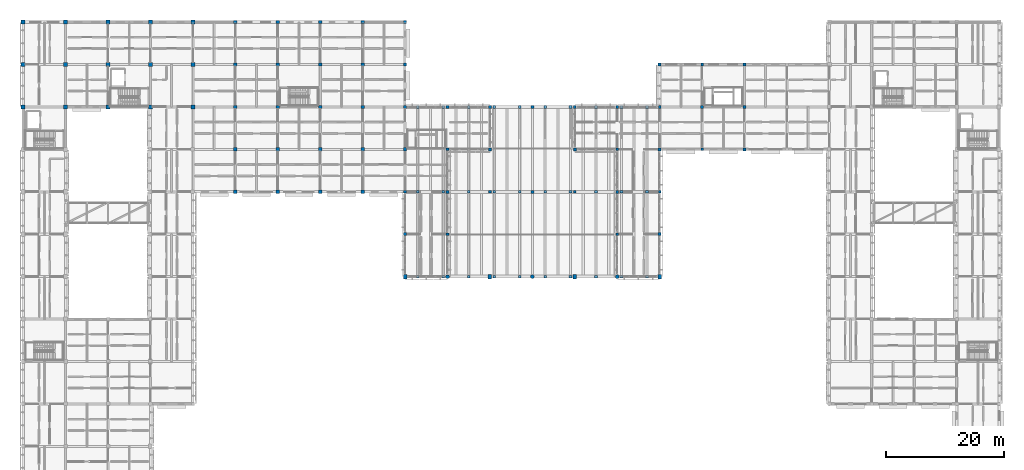
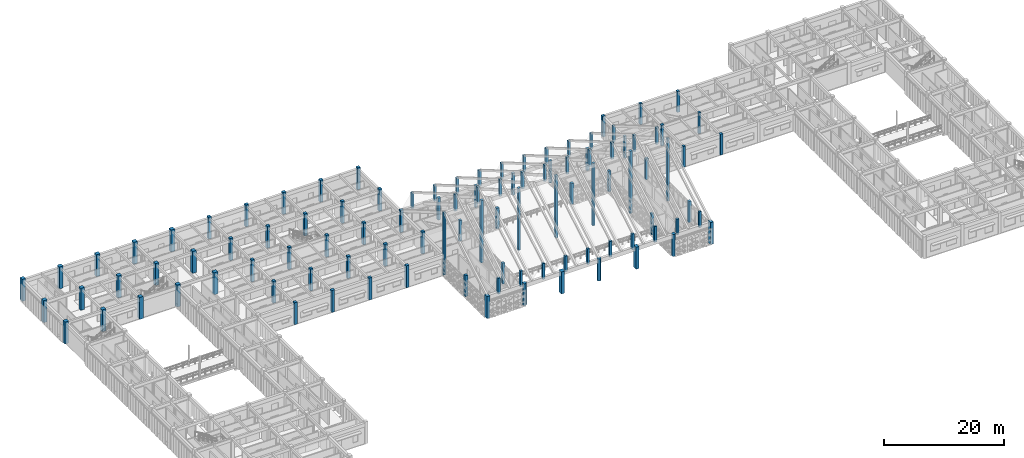
# One storey, part 3 of 171: 105 columns.
"""IFC4 building model written with IfcOpenShell, lengths in metres."""

from ifc_helpers import new_model, si_unit, direction, frame, origin, origin_2d, place, context, subcontext, project, spatial, rectangle, circle, extrude, material, material_profile, profile_set, type_object, element, save


model = new_model("IFC4")

# Units and contexts
model_context = context("Model", 3, precision=1e-05, world=origin(), true_north=direction((0.0, 1.0)))
body_context = subcontext(model_context, "Body", "Model", "MODEL_VIEW")
ifc_project = project(units=[si_unit("LENGTHUNIT", "METRE"), si_unit("AREAUNIT", "SQUARE_METRE"), si_unit("VOLUMEUNIT", "CUBIC_METRE"), si_unit("PLANEANGLEUNIT", "RADIAN"), si_unit("MASSUNIT", "GRAM", prefix="KILO")], contexts=[model_context])

# Site, building, storey
site_placement = place(None, origin())
site = spatial("IfcSite", under=ifc_project, at=site_placement, CompositionType="ELEMENT")
building_placement = place(site_placement, origin())
building = spatial("IfcBuilding", under=site, at=building_placement, Name="Aldebral Square Health Centre", CompositionType="ELEMENT")
storey_placement = place(building_placement, frame((0.0, 0.0, 4.5)))
storey = spatial("IfcBuildingStorey", under=building, at=storey_placement, Name="L01", CompositionType="ELEMENT", Elevation=4.5)

# Columns
ifc_material = material(Name="Concrete C40/50", Category="concrete")
ifc_material_profile_1 = material_profile(ifc_material, rectangle(XDim=0.699951171875, YDim=0.699951171875, at=origin_2d()), Name="RC 700x700")
ifc_profile_set_1 = profile_set([ifc_material_profile_1], Name="Concrete C40/50")
column_type_1 = type_object("IfcColumnType", Name="COL-C1", PredefinedType="COLUMN", material=ifc_profile_set_1)
for number, where, z_axis, x_axis, name in (
    (1, (0.0, 100.800048828125, 0.0), (0.0, 0.0, 1.0), (1.0, 0.0, 0.0), "L01 column 1/15"),
    (2, (0.0, 108.0, 0.0), (0.0, 0.0, 1.0), (1.0, 0.0, 0.0), "L01 column 1/16"),
    (3, (0.0, 115.199951171875, 0.0), (0.0, 0.0, 1.0), (1.0, 0.0, 0.0), "L01 column 1/17"),
    (4, (7.199951171875, 100.800048828125, 0.0), (0.0, 0.0, 1.0), (1.0, 0.0, 0.0), "L01 column 2/15"),
    (5, (7.199951171875, 108.0, 0.0), (0.0, 0.0, 1.0), (1.0, 0.0, 0.0), "L01 column 2/16"),
    (6, (7.199951171875, 115.199951171875, 0.0), (0.0, 0.0, 1.0), (1.0, 0.0, 0.0), "L01 column 2/17"),
    (7, (14.39990234375, 100.800048828125, 0.0), (0.0, 0.0, 1.0), (1.0, 0.0, 0.0), "L01 column 3/15"),
    (8, (14.39990234375, 108.0, 0.0), (0.0, 0.0, 1.0), (1.0, 0.0, 0.0), "L01 column 3/16"),
    (9, (14.39990234375, 115.199951171875, 0.0), (0.0, 0.0, 1.0), (1.0, 0.0, 0.0), "L01 column 3/17"),
    (10, (21.60009765625, 100.800048828125, 0.0), (0.0, 0.0, 1.0), (1.0, 0.0, 0.0), "L01 column 4/15"),
    (11, (21.60009765625, 108.0, 0.0), (0.0, 0.0, 1.0), (1.0, 0.0, 0.0), "L01 column 4/16"),
    (12, (21.60009765625, 115.199951171875, 0.0), (0.0, 0.0, 1.0), (1.0, 0.0, 0.0), "L01 column 4/17"),
    (13, (28.800048828125, 100.800048828125, 0.0), (0.0, 0.0, 1.0), (1.0, 0.0, 0.0), "L01 column 5/15"),
    (14, (28.800048828125, 108.0, 0.0), (0.0, 0.0, 1.0), (1.0, 0.0, 0.0), "L01 column 5/16"),
    (15, (28.800048828125, 115.199951171875, 0.0), (0.0, 0.0, 1.0), (1.0, 0.0, 0.0), "L01 column 5/17"),
):
    element("IfcColumn", number, at=place(storey_placement, frame(where, z_axis=z_axis, x_axis=x_axis)), inside=storey, type_object=column_type_1, Name=name, PredefinedType="COLUMN", context=body_context, shape_type="SweptSolid", body=[
        extrude(rectangle(XDim=0.699951171875, YDim=0.699951171875, at=origin_2d()), origin(), (0.0, 0.0, 1.0), 4.5),
    ])
ifc_material_profile_2 = material_profile(ifc_material, rectangle(XDim=0.550048828125, YDim=0.550048828125, at=origin_2d()), Name="RC 550x550")
ifc_profile_set_2 = profile_set([ifc_material_profile_2], Name="Concrete C40/50")
column_type_2 = type_object("IfcColumnType", Name="COL-C4", PredefinedType="COLUMN", material=ifc_profile_set_2)
for number, where, z_axis, x_axis, name in (
    (16, (36.0, 86.39990234375, 0.0), (0.0, 0.0, 1.0), (1.0, 0.0, 0.0), "L01 column 6/13"),
    (17, (36.0, 93.60009765625, 0.0), (0.0, 0.0, 1.0), (1.0, 0.0, 0.0), "L01 column 6/14"),
    (18, (36.0, 100.800048828125, 0.0), (0.0, 0.0, 1.0), (1.0, 0.0, 0.0), "L01 column 6/15"),
    (19, (36.0, 108.0, 0.0), (0.0, 0.0, 1.0), (1.0, 0.0, 0.0), "L01 column 6/16"),
    (20, (36.0, 115.199951171875, 0.0), (0.0, 0.0, 1.0), (1.0, 0.0, 0.0), "L01 column 6/17"),
    (21, (43.199951171875, 86.39990234375, 0.0), (0.0, 0.0, 1.0), (1.0, 0.0, 0.0), "L01 column 7/13"),
    (22, (43.199951171875, 93.60009765625, 0.0), (0.0, 0.0, 1.0), (1.0, 0.0, 0.0), "L01 column 7/14"),
    (23, (43.199951171875, 100.800048828125, 0.0), (0.0, 0.0, 1.0), (1.0, 0.0, 0.0), "L01 column 7/15"),
    (24, (43.199951171875, 108.0, 0.0), (0.0, 0.0, 1.0), (1.0, 0.0, 0.0), "L01 column 7/16"),
    (25, (43.199951171875, 115.199951171875, 0.0), (0.0, 0.0, 1.0), (1.0, 0.0, 0.0), "L01 column 7/17"),
    (26, (50.39990234375, 86.39990234375, 0.0), (0.0, 0.0, 1.0), (1.0, 0.0, 0.0), "L01 column 8/13"),
    (27, (50.39990234375, 93.60009765625, 0.0), (0.0, 0.0, 1.0), (1.0, 0.0, 0.0), "L01 column 8/14"),
    (28, (50.39990234375, 100.800048828125, 0.0), (0.0, 0.0, 1.0), (1.0, 0.0, 0.0), "L01 column 8/15"),
    (29, (50.39990234375, 108.0, 0.0), (0.0, 0.0, 1.0), (1.0, 0.0, 0.0), "L01 column 8/16"),
    (30, (50.39990234375, 115.199951171875, 0.0), (0.0, 0.0, 1.0), (1.0, 0.0, 0.0), "L01 column 8/17"),
    (31, (57.60009765625, 86.39990234375, 0.0), (0.0, 0.0, 1.0), (1.0, 0.0, 0.0), "L01 column 9/13"),
    (32, (57.60009765625, 93.60009765625, 0.0), (0.0, 0.0, 1.0), (1.0, 0.0, 0.0), "L01 column 9/14"),
    (33, (57.60009765625, 100.800048828125, 0.0), (0.0, 0.0, 1.0), (1.0, 0.0, 0.0), "L01 column 9/15"),
    (34, (57.60009765625, 108.0, 0.0), (0.0, 0.0, 1.0), (1.0, 0.0, 0.0), "L01 column 9/16"),
    (35, (57.60009765625, 115.199951171875, 0.0), (0.0, 0.0, 1.0), (1.0, 0.0, 0.0), "L01 column 9/17"),
    (36, (64.800048828125, 93.60009765625, 0.0), (0.0, 0.0, 1.0), (1.0, 0.0, 0.0), "L01 column 10/14"),
    (37, (64.800048828125, 100.800048828125, 0.0), (0.0, 0.0, 1.0), (1.0, 0.0, 0.0), "L01 column 10/15"),
    (38, (64.800048828125, 108.0, 0.0), (0.0, 0.0, 1.0), (1.0, 0.0, 0.0), "L01 column 10/16"),
    (39, (64.800048828125, 115.199951171875, 0.0), (0.0, 0.0, 1.0), (1.0, 0.0, 0.0), "L01 column 10/17"),
):
    element("IfcColumn", number, at=place(storey_placement, frame(where, z_axis=z_axis, x_axis=x_axis)), inside=storey, type_object=column_type_2, Name=name, PredefinedType="COLUMN", context=body_context, shape_type="SweptSolid", body=[
        extrude(rectangle(XDim=0.550048828125, YDim=0.550048828125, at=origin_2d()), origin(), (0.0, 0.0, 1.0), 4.5),
    ])
ifc_material_profile_3 = material_profile(ifc_material, rectangle(XDim=0.5, YDim=0.5, at=origin_2d()), Name="RC 500x500")
ifc_profile_set_3 = profile_set([ifc_material_profile_3], Name="Concrete C40/50")
column_type_3 = type_object("IfcColumnType", Name="COL-C5", PredefinedType="COLUMN", material=ifc_profile_set_3)
column_1_placement = place(storey_placement, frame((64.800048828125, 79.199951171875, 0.0), z_axis=(0.0, 0.0, 1.0), x_axis=(1.0, 0.0, 0.0)))
element("IfcColumn", 40, at=column_1_placement, inside=storey, type_object=column_type_3, Name="L01 column 10/12", PredefinedType="COLUMN", context=body_context, shape_type="SweptSolid", body=[
    extrude(rectangle(XDim=0.5, YDim=0.5, at=origin_2d()), origin(), (0.0, 0.0, 1.0), 4.280029296875),
])
column_2_placement = place(storey_placement, frame((72.0, 86.39990234375, 0.0), z_axis=(0.0, 0.0, 1.0), x_axis=(1.0, 0.0, 0.0)))
element("IfcColumn", 41, at=column_2_placement, inside=storey, type_object=column_type_3, Name="L01 column 11/13", PredefinedType="COLUMN", context=body_context, shape_type="SweptSolid", body=[
    extrude(rectangle(XDim=0.5, YDim=0.5, at=origin_2d()), origin(), (0.0, 0.0, 1.0), 12.719970703125),
])
column_3_placement = place(storey_placement, frame((72.0, 100.800048828125, 0.0), z_axis=(0.0, 0.0, 1.0), x_axis=(1.0, 0.0, 0.0)))
element("IfcColumn", 42, at=column_3_placement, inside=storey, type_object=column_type_3, Name="L01 column 11/15", PredefinedType="COLUMN", context=body_context, shape_type="SweptSolid", body=[
    extrude(rectangle(XDim=0.5, YDim=0.5, at=origin_2d()), origin(), (0.0, 0.0, 1.0), 4.5),
])
column_4_placement = place(storey_placement, frame((79.199951171875, 93.60009765625, 0.0), z_axis=(0.0, 0.0, 1.0), x_axis=(1.0, 0.0, 0.0)))
element("IfcColumn", 43, at=column_4_placement, inside=storey, type_object=column_type_3, Name="L01 column 12/14", PredefinedType="COLUMN", context=body_context, shape_type="SweptSolid", body=[
    extrude(rectangle(XDim=0.5, YDim=0.5, at=origin_2d()), origin(), (0.0, 0.0, 1.0), 4.280029296875),
])
column_5_placement = place(storey_placement, frame((86.39990234375, 86.39990234375, 0.0), z_axis=(0.0, 0.0, 1.0), x_axis=(1.0, 0.0, 0.0)))
element("IfcColumn", 44, at=column_5_placement, inside=storey, type_object=column_type_3, Name="L01 column 13/13", PredefinedType="COLUMN", context=body_context, shape_type="SweptSolid", body=[
    extrude(rectangle(XDim=0.5, YDim=0.5, at=origin_2d()), origin(), (0.0, 0.0, 1.0), 12.719970703125),
])
column_6_placement = place(storey_placement, frame((86.39990234375, 100.800048828125, 0.0), z_axis=(0.0, 0.0, 1.0), x_axis=(1.0, 0.0, 0.0)))
element("IfcColumn", 45, at=column_6_placement, inside=storey, type_object=column_type_3, Name="L01 column 13/15", PredefinedType="COLUMN", context=body_context, shape_type="SweptSolid", body=[
    extrude(rectangle(XDim=0.5, YDim=0.5, at=origin_2d()), origin(), (0.0, 0.0, 1.0), 4.5),
])
column_7_placement = place(storey_placement, frame((93.60009765625, 93.60009765625, 0.0), z_axis=(0.0, 0.0, 1.0), x_axis=(1.0, 0.0, 0.0)))
element("IfcColumn", 46, at=column_7_placement, inside=storey, type_object=column_type_3, Name="L01 column 14/14", PredefinedType="COLUMN", context=body_context, shape_type="SweptSolid", body=[
    extrude(rectangle(XDim=0.5, YDim=0.5, at=origin_2d()), origin(), (0.0, 0.0, 1.0), 4.280029296875),
])
column_8_placement = place(storey_placement, frame((100.800048828125, 86.39990234375, 0.0), z_axis=(0.0, 0.0, 1.0), x_axis=(1.0, 0.0, 0.0)))
element("IfcColumn", 47, at=column_8_placement, inside=storey, type_object=column_type_3, Name="L01 column 15/13", PredefinedType="COLUMN", context=body_context, shape_type="SweptSolid", body=[
    extrude(rectangle(XDim=0.5, YDim=0.5, at=origin_2d()), origin(), (0.0, 0.0, 1.0), 12.719970703125),
])
column_9_placement = place(storey_placement, frame((100.800048828125, 100.800048828125, 0.0), z_axis=(0.0, 0.0, 1.0), x_axis=(1.0, 0.0, 0.0)))
element("IfcColumn", 48, at=column_9_placement, inside=storey, type_object=column_type_3, Name="L01 column 15/15", PredefinedType="COLUMN", context=body_context, shape_type="SweptSolid", body=[
    extrude(rectangle(XDim=0.5, YDim=0.5, at=origin_2d()), origin(), (0.0, 0.0, 1.0), 4.5),
])
for number, where, z_axis, x_axis, name in (
    (49, (108.0, 79.199951171875, 0.0), (0.0, 0.0, 1.0), (1.0, 0.0, 0.0), "L01 column 16/12"),
    (50, (108.0, 93.60009765625, 0.0), (0.0, 0.0, 1.0), (1.0, 0.0, 0.0), "L01 column 16/14"),
    (51, (108.0, 108.0, 0.0), (0.0, 0.0, 1.0), (1.0, 0.0, 0.0), "L01 column 16/16"),
    (52, (115.199951171875, 100.800048828125, 0.0), (0.0, 0.0, 1.0), (1.0, 0.0, 0.0), "L01 column 17/15"),
    (53, (122.39990234375, 93.60009765625, 0.0), (0.0, 0.0, 1.0), (1.0, 0.0, 0.0), "L01 column 18/14"),
    (54, (122.39990234375, 108.0, 0.0), (0.0, 0.0, 1.0), (1.0, 0.0, 0.0), "L01 column 18/16"),
):
    element("IfcColumn", number, at=place(storey_placement, frame(where, z_axis=z_axis, x_axis=x_axis)), inside=storey, type_object=column_type_3, Name=name, PredefinedType="COLUMN", context=body_context, shape_type="SweptSolid", body=[
        extrude(rectangle(XDim=0.5, YDim=0.5, at=origin_2d()), origin(), (0.0, 0.0, 1.0), 4.280029296875),
    ])
ifc_material_profile_4 = material_profile(ifc_material, rectangle(XDim=0.449951171875, YDim=0.449951171875, at=origin_2d()), Name="RC 450x450")
ifc_profile_set_4 = profile_set([ifc_material_profile_4], Name="Concrete C40/50")
column_type_4 = type_object("IfcColumnType", Name="COL-C6", PredefinedType="COLUMN", material=ifc_profile_set_4)
column_10_placement = place(storey_placement, frame((64.800048828125, 86.39990234375, 0.0), z_axis=(0.0, 0.0, 1.0), x_axis=(1.0, 0.0, 0.0)))
element("IfcColumn", 55, at=column_10_placement, inside=storey, type_object=column_type_4, Name="L01 column 10/13", PredefinedType="COLUMN", context=body_context, shape_type="SweptSolid", body=[
    extrude(rectangle(XDim=0.449951171875, YDim=0.449951171875, at=origin_2d()), origin(), (0.0, 0.0, 1.0), 12.719970703125),
])
for number, where, z_axis, x_axis, name in (
    (56, (72.0, 79.199951171875, 0.0), (0.0, 0.0, 1.0), (1.0, 0.0, 0.0), "L01 column 11/12"),
    (57, (72.0, 93.60009765625, 0.0), (0.0, 0.0, 1.0), (1.0, 0.0, 0.0), "L01 column 11/14"),
):
    element("IfcColumn", number, at=place(storey_placement, frame(where, z_axis=z_axis, x_axis=x_axis)), inside=storey, type_object=column_type_4, Name=name, PredefinedType="COLUMN", context=body_context, shape_type="SweptSolid", body=[
        extrude(rectangle(XDim=0.449951171875, YDim=0.449951171875, at=origin_2d()), origin(), (0.0, 0.0, 1.0), 4.280029296875),
    ])
column_11_placement = place(storey_placement, frame((79.199951171875, 86.39990234375, 0.0), z_axis=(0.0, 0.0, 1.0), x_axis=(1.0, 0.0, 0.0)))
element("IfcColumn", 58, at=column_11_placement, inside=storey, type_object=column_type_4, Name="L01 column 12/13", PredefinedType="COLUMN", context=body_context, shape_type="SweptSolid", body=[
    extrude(rectangle(XDim=0.449951171875, YDim=0.449951171875, at=origin_2d()), origin(), (0.0, 0.0, 1.0), 12.719970703125),
])
column_12_placement = place(storey_placement, frame((79.199951171875, 100.800048828125, 0.0), z_axis=(0.0, 0.0, 1.0), x_axis=(1.0, 0.0, 0.0)))
element("IfcColumn", 59, at=column_12_placement, inside=storey, type_object=column_type_4, Name="L01 column 12/15", PredefinedType="COLUMN", context=body_context, shape_type="SweptSolid", body=[
    extrude(rectangle(XDim=0.449951171875, YDim=0.449951171875, at=origin_2d()), origin(), (0.0, 0.0, 1.0), 4.5),
])
column_13_placement = place(storey_placement, frame((93.60009765625, 86.39990234375, 0.0), z_axis=(0.0, 0.0, 1.0), x_axis=(1.0, 0.0, 0.0)))
element("IfcColumn", 60, at=column_13_placement, inside=storey, type_object=column_type_4, Name="L01 column 14/13", PredefinedType="COLUMN", context=body_context, shape_type="SweptSolid", body=[
    extrude(rectangle(XDim=0.449951171875, YDim=0.449951171875, at=origin_2d()), origin(), (0.0, 0.0, 1.0), 12.719970703125),
])
column_14_placement = place(storey_placement, frame((93.60009765625, 100.800048828125, 0.0), z_axis=(0.0, 0.0, 1.0), x_axis=(1.0, 0.0, 0.0)))
element("IfcColumn", 61, at=column_14_placement, inside=storey, type_object=column_type_4, Name="L01 column 14/15", PredefinedType="COLUMN", context=body_context, shape_type="SweptSolid", body=[
    extrude(rectangle(XDim=0.449951171875, YDim=0.449951171875, at=origin_2d()), origin(), (0.0, 0.0, 1.0), 4.5),
])
for number, where, z_axis, x_axis, name in (
    (62, (100.800048828125, 79.199951171875, 0.0), (0.0, 0.0, 1.0), (1.0, 0.0, 0.0), "L01 column 15/12"),
    (63, (100.800048828125, 93.60009765625, 0.0), (0.0, 0.0, 1.0), (1.0, 0.0, 0.0), "L01 column 15/14"),
):
    element("IfcColumn", number, at=place(storey_placement, frame(where, z_axis=z_axis, x_axis=x_axis)), inside=storey, type_object=column_type_4, Name=name, PredefinedType="COLUMN", context=body_context, shape_type="SweptSolid", body=[
        extrude(rectangle(XDim=0.449951171875, YDim=0.449951171875, at=origin_2d()), origin(), (0.0, 0.0, 1.0), 4.280029296875),
    ])
column_15_placement = place(storey_placement, frame((108.0, 86.39990234375, 0.0), z_axis=(0.0, 0.0, 1.0), x_axis=(1.0, 0.0, 0.0)))
element("IfcColumn", 64, at=column_15_placement, inside=storey, type_object=column_type_4, Name="L01 column 16/13", PredefinedType="COLUMN", context=body_context, shape_type="SweptSolid", body=[
    extrude(rectangle(XDim=0.449951171875, YDim=0.449951171875, at=origin_2d()), origin(), (0.0, 0.0, 1.0), 12.719970703125),
])
column_16_placement = place(storey_placement, frame((108.0, 100.800048828125, 0.0), z_axis=(0.0, 0.0, 1.0), x_axis=(1.0, 0.0, 0.0)))
element("IfcColumn", 65, at=column_16_placement, inside=storey, type_object=column_type_4, Name="L01 column 16/15", PredefinedType="COLUMN", context=body_context, shape_type="SweptSolid", body=[
    extrude(rectangle(XDim=0.449951171875, YDim=0.449951171875, at=origin_2d()), origin(), (0.0, 0.0, 1.0), 4.5),
])
for number, where, z_axis, x_axis, name in (
    (66, (115.199951171875, 93.60009765625, 0.0), (0.0, 0.0, 1.0), (1.0, 0.0, 0.0), "L01 column 17/14"),
    (67, (115.199951171875, 108.0, 0.0), (0.0, 0.0, 1.0), (1.0, 0.0, 0.0), "L01 column 17/16"),
    (68, (122.39990234375, 100.800048828125, 0.0), (0.0, 0.0, 1.0), (1.0, 0.0, 0.0), "L01 column 18/15"),
):
    element("IfcColumn", number, at=place(storey_placement, frame(where, z_axis=z_axis, x_axis=x_axis)), inside=storey, type_object=column_type_4, Name=name, PredefinedType="COLUMN", context=body_context, shape_type="SweptSolid", body=[
        extrude(rectangle(XDim=0.449951171875, YDim=0.449951171875, at=origin_2d()), origin(), (0.0, 0.0, 1.0), 4.280029296875),
    ])
column_17_placement = place(storey_placement, frame((66.9599609375, 72.0, 4.074951171875), z_axis=(0.0, 0.0, 1.0), x_axis=(1.0, 0.0, 0.0)))
element("IfcColumn", 69, at=column_17_placement, inside=storey, type_object=column_type_4, Name="Folded-plate ridge post S 1", PredefinedType="COLUMN", context=body_context, shape_type="SweptSolid", body=[
    extrude(rectangle(XDim=0.449951171875, YDim=0.449951171875, at=origin_2d()), origin(), (0.0, 0.0, 1.0), 3.22509765625),
])
column_18_placement = place(storey_placement, frame((66.9599609375, 86.39990234375, 12.294921875), z_axis=(0.0, 0.0, 1.0), x_axis=(1.0, 0.0, 0.0)))
element("IfcColumn", 70, at=column_18_placement, inside=storey, type_object=column_type_4, Name="Folded-plate ridge post M 1", PredefinedType="COLUMN", context=body_context, shape_type="SweptSolid", body=[
    extrude(rectangle(XDim=0.449951171875, YDim=0.449951171875, at=origin_2d()), origin(), (0.0, 0.0, 1.0), 3.405029296875),
])
for number, where, z_axis, x_axis, name in (
    (71, (66.9599609375, 100.800048828125, 4.074951171875), (0.0, 0.0, 1.0), (1.0, 0.0, 0.0), "Folded-plate ridge post N 1"),
    (72, (71.280029296875, 72.0, 4.074951171875), (0.0, 0.0, 1.0), (1.0, 0.0, 0.0), "Folded-plate ridge post S 2"),
):
    element("IfcColumn", number, at=place(storey_placement, frame(where, z_axis=z_axis, x_axis=x_axis)), inside=storey, type_object=column_type_4, Name=name, PredefinedType="COLUMN", context=body_context, shape_type="SweptSolid", body=[
        extrude(rectangle(XDim=0.449951171875, YDim=0.449951171875, at=origin_2d()), origin(), (0.0, 0.0, 1.0), 3.22509765625),
    ])
column_19_placement = place(storey_placement, frame((71.280029296875, 86.39990234375, 12.294921875), z_axis=(0.0, 0.0, 1.0), x_axis=(1.0, 0.0, 0.0)))
element("IfcColumn", 73, at=column_19_placement, inside=storey, type_object=column_type_4, Name="Folded-plate ridge post M 2", PredefinedType="COLUMN", context=body_context, shape_type="SweptSolid", body=[
    extrude(rectangle(XDim=0.449951171875, YDim=0.449951171875, at=origin_2d()), origin(), (0.0, 0.0, 1.0), 3.405029296875),
])
for number, where, z_axis, x_axis, name in (
    (74, (71.280029296875, 100.800048828125, 4.074951171875), (0.0, 0.0, 1.0), (1.0, 0.0, 0.0), "Folded-plate ridge post N 2"),
    (75, (75.60009765625, 72.0, 4.074951171875), (0.0, 0.0, 1.0), (1.0, 0.0, 0.0), "Folded-plate ridge post S 3"),
):
    element("IfcColumn", number, at=place(storey_placement, frame(where, z_axis=z_axis, x_axis=x_axis)), inside=storey, type_object=column_type_4, Name=name, PredefinedType="COLUMN", context=body_context, shape_type="SweptSolid", body=[
        extrude(rectangle(XDim=0.449951171875, YDim=0.449951171875, at=origin_2d()), origin(), (0.0, 0.0, 1.0), 3.22509765625),
    ])
column_20_placement = place(storey_placement, frame((75.60009765625, 86.39990234375, 12.294921875), z_axis=(0.0, 0.0, 1.0), x_axis=(1.0, 0.0, 0.0)))
element("IfcColumn", 76, at=column_20_placement, inside=storey, type_object=column_type_4, Name="Folded-plate ridge post M 3", PredefinedType="COLUMN", context=body_context, shape_type="SweptSolid", body=[
    extrude(rectangle(XDim=0.449951171875, YDim=0.449951171875, at=origin_2d()), origin(), (0.0, 0.0, 1.0), 3.405029296875),
])
for number, where, z_axis, x_axis, name in (
    (77, (75.60009765625, 100.800048828125, 4.074951171875), (0.0, 0.0, 1.0), (1.0, 0.0, 0.0), "Folded-plate ridge post N 3"),
    (78, (79.919921875, 72.0, 4.074951171875), (0.0, 0.0, 1.0), (1.0, 0.0, 0.0), "Folded-plate ridge post S 4"),
):
    element("IfcColumn", number, at=place(storey_placement, frame(where, z_axis=z_axis, x_axis=x_axis)), inside=storey, type_object=column_type_4, Name=name, PredefinedType="COLUMN", context=body_context, shape_type="SweptSolid", body=[
        extrude(rectangle(XDim=0.449951171875, YDim=0.449951171875, at=origin_2d()), origin(), (0.0, 0.0, 1.0), 3.22509765625),
    ])
column_21_placement = place(storey_placement, frame((79.919921875, 86.39990234375, 12.294921875), z_axis=(0.0, 0.0, 1.0), x_axis=(1.0, 0.0, 0.0)))
element("IfcColumn", 79, at=column_21_placement, inside=storey, type_object=column_type_4, Name="Folded-plate ridge post M 4", PredefinedType="COLUMN", context=body_context, shape_type="SweptSolid", body=[
    extrude(rectangle(XDim=0.449951171875, YDim=0.449951171875, at=origin_2d()), origin(), (0.0, 0.0, 1.0), 3.405029296875),
])
for number, where, z_axis, x_axis, name in (
    (80, (79.919921875, 100.800048828125, 4.074951171875), (0.0, 0.0, 1.0), (1.0, 0.0, 0.0), "Folded-plate ridge post N 4"),
    (81, (84.239990234375, 72.0, 4.074951171875), (0.0, 0.0, 1.0), (1.0, 0.0, 0.0), "Folded-plate ridge post S 5"),
):
    element("IfcColumn", number, at=place(storey_placement, frame(where, z_axis=z_axis, x_axis=x_axis)), inside=storey, type_object=column_type_4, Name=name, PredefinedType="COLUMN", context=body_context, shape_type="SweptSolid", body=[
        extrude(rectangle(XDim=0.449951171875, YDim=0.449951171875, at=origin_2d()), origin(), (0.0, 0.0, 1.0), 3.22509765625),
    ])
column_22_placement = place(storey_placement, frame((84.239990234375, 86.39990234375, 12.294921875), z_axis=(0.0, 0.0, 1.0), x_axis=(1.0, 0.0, 0.0)))
element("IfcColumn", 82, at=column_22_placement, inside=storey, type_object=column_type_4, Name="Folded-plate ridge post M 5", PredefinedType="COLUMN", context=body_context, shape_type="SweptSolid", body=[
    extrude(rectangle(XDim=0.449951171875, YDim=0.449951171875, at=origin_2d()), origin(), (0.0, 0.0, 1.0), 3.405029296875),
])
for number, where, z_axis, x_axis, name in (
    (83, (84.239990234375, 100.800048828125, 4.074951171875), (0.0, 0.0, 1.0), (1.0, 0.0, 0.0), "Folded-plate ridge post N 5"),
    (84, (88.56005859375, 72.0, 4.074951171875), (0.0, 0.0, 1.0), (1.0, 0.0, 0.0), "Folded-plate ridge post S 6"),
):
    element("IfcColumn", number, at=place(storey_placement, frame(where, z_axis=z_axis, x_axis=x_axis)), inside=storey, type_object=column_type_4, Name=name, PredefinedType="COLUMN", context=body_context, shape_type="SweptSolid", body=[
        extrude(rectangle(XDim=0.449951171875, YDim=0.449951171875, at=origin_2d()), origin(), (0.0, 0.0, 1.0), 3.22509765625),
    ])
column_23_placement = place(storey_placement, frame((88.56005859375, 86.39990234375, 12.294921875), z_axis=(0.0, 0.0, 1.0), x_axis=(1.0, 0.0, 0.0)))
element("IfcColumn", 85, at=column_23_placement, inside=storey, type_object=column_type_4, Name="Folded-plate ridge post M 6", PredefinedType="COLUMN", context=body_context, shape_type="SweptSolid", body=[
    extrude(rectangle(XDim=0.449951171875, YDim=0.449951171875, at=origin_2d()), origin(), (0.0, 0.0, 1.0), 3.405029296875),
])
for number, where, z_axis, x_axis, name in (
    (86, (88.56005859375, 100.800048828125, 4.074951171875), (0.0, 0.0, 1.0), (1.0, 0.0, 0.0), "Folded-plate ridge post N 6"),
    (87, (92.8798828125, 72.0, 4.074951171875), (0.0, 0.0, 1.0), (1.0, 0.0, 0.0), "Folded-plate ridge post S 7"),
):
    element("IfcColumn", number, at=place(storey_placement, frame(where, z_axis=z_axis, x_axis=x_axis)), inside=storey, type_object=column_type_4, Name=name, PredefinedType="COLUMN", context=body_context, shape_type="SweptSolid", body=[
        extrude(rectangle(XDim=0.449951171875, YDim=0.449951171875, at=origin_2d()), origin(), (0.0, 0.0, 1.0), 3.22509765625),
    ])
column_24_placement = place(storey_placement, frame((92.8798828125, 86.39990234375, 12.294921875), z_axis=(0.0, 0.0, 1.0), x_axis=(1.0, 0.0, 0.0)))
element("IfcColumn", 88, at=column_24_placement, inside=storey, type_object=column_type_4, Name="Folded-plate ridge post M 7", PredefinedType="COLUMN", context=body_context, shape_type="SweptSolid", body=[
    extrude(rectangle(XDim=0.449951171875, YDim=0.449951171875, at=origin_2d()), origin(), (0.0, 0.0, 1.0), 3.405029296875),
])
for number, where, z_axis, x_axis, name in (
    (89, (92.8798828125, 100.800048828125, 4.074951171875), (0.0, 0.0, 1.0), (1.0, 0.0, 0.0), "Folded-plate ridge post N 7"),
    (90, (97.199951171875, 72.0, 4.074951171875), (0.0, 0.0, 1.0), (1.0, 0.0, 0.0), "Folded-plate ridge post S 8"),
):
    element("IfcColumn", number, at=place(storey_placement, frame(where, z_axis=z_axis, x_axis=x_axis)), inside=storey, type_object=column_type_4, Name=name, PredefinedType="COLUMN", context=body_context, shape_type="SweptSolid", body=[
        extrude(rectangle(XDim=0.449951171875, YDim=0.449951171875, at=origin_2d()), origin(), (0.0, 0.0, 1.0), 3.22509765625),
    ])
column_25_placement = place(storey_placement, frame((97.199951171875, 86.39990234375, 12.294921875), z_axis=(0.0, 0.0, 1.0), x_axis=(1.0, 0.0, 0.0)))
element("IfcColumn", 91, at=column_25_placement, inside=storey, type_object=column_type_4, Name="Folded-plate ridge post M 8", PredefinedType="COLUMN", context=body_context, shape_type="SweptSolid", body=[
    extrude(rectangle(XDim=0.449951171875, YDim=0.449951171875, at=origin_2d()), origin(), (0.0, 0.0, 1.0), 3.405029296875),
])
for number, where, z_axis, x_axis, name in (
    (92, (97.199951171875, 100.800048828125, 4.074951171875), (0.0, 0.0, 1.0), (1.0, 0.0, 0.0), "Folded-plate ridge post N 8"),
    (93, (101.52001953125, 72.0, 4.074951171875), (0.0, 0.0, 1.0), (1.0, 0.0, 0.0), "Folded-plate ridge post S 9"),
):
    element("IfcColumn", number, at=place(storey_placement, frame(where, z_axis=z_axis, x_axis=x_axis)), inside=storey, type_object=column_type_4, Name=name, PredefinedType="COLUMN", context=body_context, shape_type="SweptSolid", body=[
        extrude(rectangle(XDim=0.449951171875, YDim=0.449951171875, at=origin_2d()), origin(), (0.0, 0.0, 1.0), 3.22509765625),
    ])
column_26_placement = place(storey_placement, frame((101.52001953125, 86.39990234375, 12.294921875), z_axis=(0.0, 0.0, 1.0), x_axis=(1.0, 0.0, 0.0)))
element("IfcColumn", 94, at=column_26_placement, inside=storey, type_object=column_type_4, Name="Folded-plate ridge post M 9", PredefinedType="COLUMN", context=body_context, shape_type="SweptSolid", body=[
    extrude(rectangle(XDim=0.449951171875, YDim=0.449951171875, at=origin_2d()), origin(), (0.0, 0.0, 1.0), 3.405029296875),
])
for number, where, z_axis, x_axis, name in (
    (95, (101.52001953125, 100.800048828125, 4.074951171875), (0.0, 0.0, 1.0), (1.0, 0.0, 0.0), "Folded-plate ridge post N 9"),
    (96, (105.840087890625, 72.0, 4.074951171875), (0.0, 0.0, 1.0), (1.0, 0.0, 0.0), "Folded-plate ridge post S 10"),
):
    element("IfcColumn", number, at=place(storey_placement, frame(where, z_axis=z_axis, x_axis=x_axis)), inside=storey, type_object=column_type_4, Name=name, PredefinedType="COLUMN", context=body_context, shape_type="SweptSolid", body=[
        extrude(rectangle(XDim=0.449951171875, YDim=0.449951171875, at=origin_2d()), origin(), (0.0, 0.0, 1.0), 3.22509765625),
    ])
column_27_placement = place(storey_placement, frame((105.840087890625, 86.39990234375, 12.294921875), z_axis=(0.0, 0.0, 1.0), x_axis=(1.0, 0.0, 0.0)))
element("IfcColumn", 97, at=column_27_placement, inside=storey, type_object=column_type_4, Name="Folded-plate ridge post M 10", PredefinedType="COLUMN", context=body_context, shape_type="SweptSolid", body=[
    extrude(rectangle(XDim=0.449951171875, YDim=0.449951171875, at=origin_2d()), origin(), (0.0, 0.0, 1.0), 3.405029296875),
])
column_28_placement = place(storey_placement, frame((105.840087890625, 100.800048828125, 4.074951171875), z_axis=(0.0, 0.0, 1.0), x_axis=(1.0, 0.0, 0.0)))
element("IfcColumn", 98, at=column_28_placement, inside=storey, type_object=column_type_4, Name="Folded-plate ridge post N 10", PredefinedType="COLUMN", context=body_context, shape_type="SweptSolid", body=[
    extrude(rectangle(XDim=0.449951171875, YDim=0.449951171875, at=origin_2d()), origin(), (0.0, 0.0, 1.0), 3.22509765625),
])
ifc_material_profile_5 = material_profile(ifc_material, rectangle(XDim=0.60009765625, YDim=0.800048828125, at=origin_2d()), Name="RC 600x800")
ifc_profile_set_5 = profile_set([ifc_material_profile_5], Name="Concrete C40/50")
column_type_5 = type_object("IfcColumnType", Name="COL-C7", PredefinedType="PILASTER", material=ifc_profile_set_5)
for number, where, z_axis, x_axis, name in (
    (99, (64.800048828125, 72.0, 0.0), (0.0, 0.0, 1.0), (1.0, 0.0, 0.0), "L01 column 10/11"),
    (100, (79.199951171875, 72.0, 0.0), (0.0, 0.0, 1.0), (1.0, 0.0, 0.0), "L01 column 12/11"),
    (101, (93.60009765625, 72.0, 0.0), (0.0, 0.0, 1.0), (1.0, 0.0, 0.0), "L01 column 14/11"),
    (102, (108.0, 72.0, 0.0), (0.0, 0.0, 1.0), (1.0, 0.0, 0.0), "L01 column 16/11"),
):
    element("IfcColumn", number, at=place(storey_placement, frame(where, z_axis=z_axis, x_axis=x_axis)), inside=storey, type_object=column_type_5, Name=name, PredefinedType="PILASTER", context=body_context, shape_type="SweptSolid", body=[
        extrude(rectangle(XDim=0.60009765625, YDim=0.800048828125, at=origin_2d()), origin(), (0.0, 0.0, 1.0), 4.5),
    ])
ifc_material_profile_6 = material_profile(ifc_material, circle(Radius=0.324951171875, at=origin_2d()), Name="RC D650")
ifc_profile_set_6 = profile_set([ifc_material_profile_6], Name="Concrete C40/50")
column_type_6 = type_object("IfcColumnType", Name="COL-C8", PredefinedType="COLUMN", material=ifc_profile_set_6)
for number, where, z_axis, x_axis, name in (
    (103, (72.0, 72.0, 0.0), (0.0, 0.0, 1.0), (1.0, 0.0, 0.0), "L01 column 11/11"),
    (104, (86.39990234375, 72.0, 0.0), (0.0, 0.0, 1.0), (1.0, 0.0, 0.0), "L01 column 13/11"),
    (105, (100.800048828125, 72.0, 0.0), (0.0, 0.0, 1.0), (1.0, 0.0, 0.0), "L01 column 15/11"),
):
    element("IfcColumn", number, at=place(storey_placement, frame(where, z_axis=z_axis, x_axis=x_axis)), inside=storey, type_object=column_type_6, Name=name, PredefinedType="COLUMN", context=body_context, shape_type="SweptSolid", body=[
        extrude(circle(Radius=0.324951171875, at=origin_2d()), origin(), (0.0, 0.0, 1.0), 4.5),
    ])

save(model, "model.ifc")
